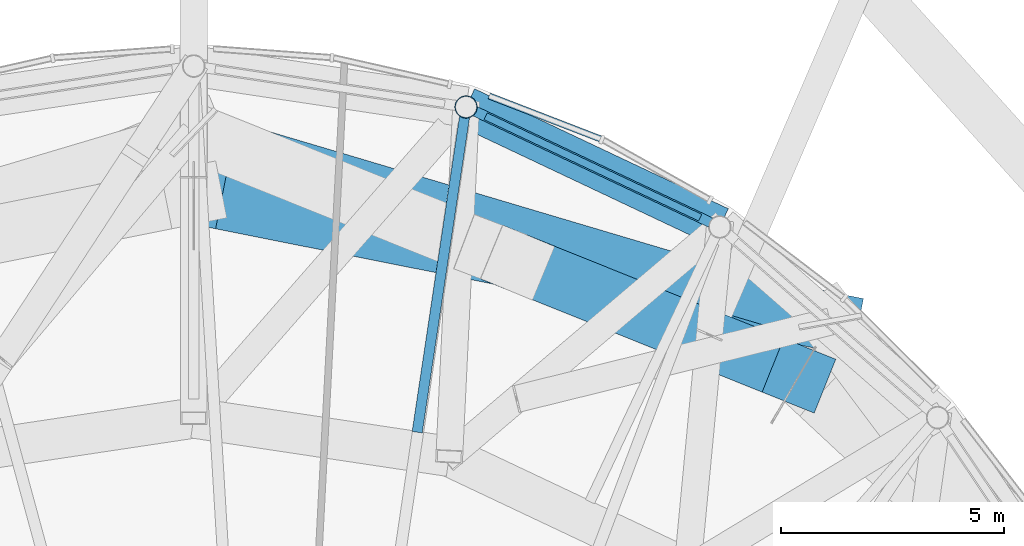
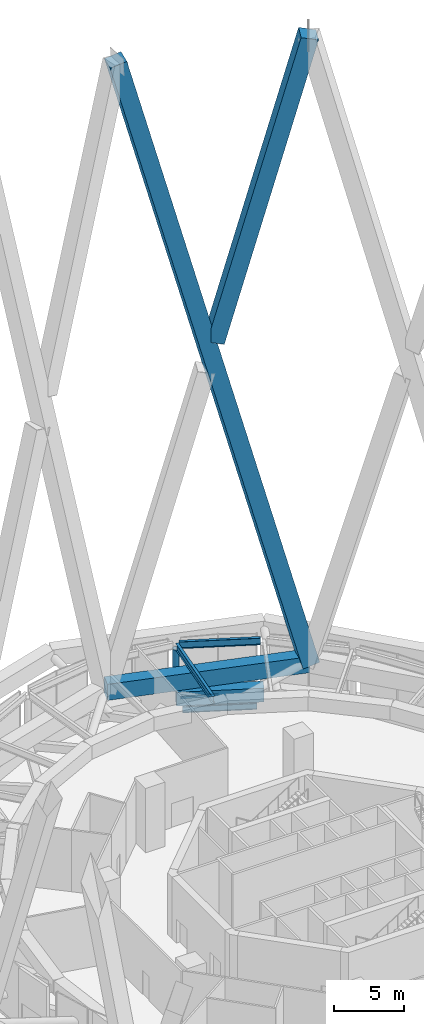
# One storey, part 31 of 48: 5 members, 4 beams, 1 element without a shape of its own.
"""IFC4 building model written with IfcOpenShell, lengths in metres."""

from ifc_helpers import new_model, si_unit, direction, frame, origin, origin_2d, place, context, subcontext, project, spatial, rectangle, hollow_rectangle, hollow_circle, i_section, extrude, material, layer, layer_set, material_profile, profile_set, type_object, element, aggregate, save


model = new_model("IFC4")

# Units and contexts
model_context = context("Model", 3, precision=1e-05, world=origin(), true_north=direction((0.0, 1.0)))
body_context = subcontext(model_context, "Body", "Model", "MODEL_VIEW")
ifc_project = project(units=[si_unit("LENGTHUNIT", "METRE"), si_unit("AREAUNIT", "SQUARE_METRE"), si_unit("VOLUMEUNIT", "CUBIC_METRE"), si_unit("PLANEANGLEUNIT", "RADIAN"), si_unit("MASSUNIT", "GRAM", prefix="KILO")], contexts=[model_context])

# Site, building, storey
site_placement = place(None, origin())
site = spatial("IfcSite", under=ifc_project, at=site_placement, CompositionType="ELEMENT")
building_placement = place(site_placement, origin())
building = spatial("IfcBuilding", under=site, at=building_placement, Name="Nagisa Residences", CompositionType="ELEMENT")
storey_placement = place(building_placement, frame((0.0, 0.0, 252.89990234375)))
storey = spatial("IfcBuildingStorey", under=building, at=storey_placement, Name="L64", CompositionType="ELEMENT", Elevation=252.89990234375)

# Beam
ifc_material_1 = material(Name="Steel ASTM A572 Gr 50", Category="steel")
ifc_material_profile_1 = material_profile(ifc_material_1, hollow_rectangle(XDim=0.89990234375, YDim=1.199951171875, WallThickness=0.0400390625, at=origin_2d()), Name="BX 900x1200x40")
ifc_profile_set_1 = profile_set([ifc_material_profile_1], Name="Steel ASTM A572 Gr 50")
beam_type_1 = type_object("IfcBeamType", Name="Belt chord 5 BX 900x1200x40", PredefinedType="BEAM", material=ifc_profile_set_1)
beam_1_placement = place(storey_placement, frame((9.985107421875, 26.405029296875, 0.60009765625), z_axis=(-0.904124087286, 0.427269978806, 0.0), x_axis=(-0.427269978806, -0.904124087286, 0.0)))
element("IfcBeam", 1, at=beam_1_placement, inside=storey, type_object=beam_type_1, Name="beam:L64:bt5b05", PredefinedType="BEAM", context=body_context, shape_type="SweptSolid", body=[
    extrude(hollow_rectangle(XDim=0.89990234375, YDim=1.199951171875, WallThickness=0.0400390625, at=origin_2d()), origin(), (0.0, 0.0, 1.0), 6.28759765625),
])

# Curtain wall, member
ifc_material_2 = material(Name="Aluminium curtain wall system", Category="aluminium")
ifc_layer = layer(ifc_material_2, 0.159912109375)
ifc_layer_set = layer_set([ifc_layer], Name="CW2 CURTAIN WALL")
curtain_wall_type = type_object("IfcCurtainWallType", Name="CW2 CURTAIN WALL", PredefinedType="NOTDEFINED", material=ifc_layer_set)
curtain_wall_placement = place(storey_placement, origin())
curtain_wall = element("IfcCurtainWall", 2, at=curtain_wall_placement, inside=storey, type_object=curtain_wall_type, Name="cw:CW2:L64:09", PredefinedType="NOTDEFINED")
ifc_material_3 = material(Name="Aluminium", Category="aluminium")
ifc_material_profile_2 = material_profile(ifc_material_3, rectangle(XDim=0.139892578125, YDim=0.179931640625, at=origin_2d()), Name="CW2 TRANSOM 140x180")
ifc_profile_set_2 = profile_set([ifc_material_profile_2], Name="Aluminium")
member_type_1 = type_object("IfcMemberType", Name="CW2 TRANSOM 140x180", PredefinedType="USERDEFINED", material=ifc_profile_set_2)
member_1_placement = place(storey_placement, frame((7.38232421875, 28.34814453125, 0.090087890625), z_axis=(-0.932819870149, 0.360343016938, 0.0), x_axis=(-0.360343016938, -0.932819870149, 0.0)))
member_1 = element("IfcMember", 3, at=member_1_placement, type_object=member_type_1, Name="CW2 transom", ObjectType="TRANSOM", PredefinedType="USERDEFINED", context=body_context, shape_type="SweptSolid", body=[
    extrude(rectangle(XDim=0.139892578125, YDim=0.179931640625, at=origin_2d()), origin(), (0.0, 0.0, 1.0), 2.74609375),
])
aggregate(curtain_wall, [member_1])

# Members
ifc_material_4 = material(Name="Concrete C80", Category="concrete")
ifc_material_profile_3 = material_profile(ifc_material_4, rectangle(XDim=1.300048828125, YDim=1.300048828125, at=origin_2d()), Name="C80 1300x1300")
ifc_profile_set_3 = profile_set([ifc_material_profile_3], Name="Concrete C80")
member_type_2 = type_object("IfcMemberType", Name="Cage diagonal 6 C80 1300x1300", PredefinedType="BRACE", material=ifc_profile_set_3)
member_2_placement = place(storey_placement, frame((12.4599609375, 24.283447265625, 3.7001953125), z_axis=(-0.248131512366, 0.049397750788, 0.967466079399), x_axis=(-0.195247439324, -0.980754014745, 0.0)))
element("IfcMember", 4, at=member_2_placement, inside=storey, type_object=member_type_2, Name="mem:L64:cg6d005", PredefinedType="BRACE", context=body_context, shape_type="SweptSolid", body=[
    extrude(rectangle(XDim=1.300048828125, YDim=1.300048828125, at=origin_2d()), origin(), (0.0, 0.0, 1.0), 57.469482421875),
])
member_3_placement = place(storey_placement, frame((5.458251953125, 25.604248046875, 33.4609375), z_axis=(0.235872018621, -0.094825815018, 0.96714655334), x_axis=(0.373007665503, 0.927828260766, 0.0)))
element("IfcMember", 5, at=member_3_placement, inside=storey, type_object=member_type_2, Name="mem:L64:cg6d006b", PredefinedType="BRACE", context=body_context, shape_type="SweptSolid", body=[
    extrude(rectangle(XDim=1.300048828125, YDim=1.300048828125, at=origin_2d()), origin(), (0.0, 0.0, 1.0), 26.716796875),
])
ifc_material_5 = material(Name="Concrete C80", Category="concrete")
ifc_material_profile_4 = material_profile(ifc_material_5, rectangle(XDim=1.0, YDim=1.39990234375, at=origin_2d()), Name="C80 1000x1400")
ifc_profile_set_4 = profile_set([ifc_material_profile_4], Name="Concrete C80")
member_type_3 = type_object("IfcMemberType", Name="Cage ring 6 C80 1000x1400", PredefinedType="CHORD", material=ifc_profile_set_4)
member_4_placement = place(storey_placement, frame((12.4599609375, 24.283447265625, 3.7001953125), z_axis=(-0.958549076589, 0.28492747809, 0.0), x_axis=(-0.28492747809, -0.958549076589, 0.0)))
element("IfcMember", 6, at=member_4_placement, inside=storey, type_object=member_type_3, Name="beam:L64:cg6r003", PredefinedType="CHORD", context=body_context, shape_type="SweptSolid", body=[
    extrude(rectangle(XDim=1.0, YDim=1.39990234375, at=origin_2d()), origin(), (0.0, 0.0, 1.0), 14.876708984375),
])

# Beam
ifc_material_6 = material(Name="Steel ASTM A572 Gr 50", Category="steel")
ifc_material_profile_5 = material_profile(ifc_material_6, i_section(OverallWidth=0.22802734375, OverallDepth=0.60302734375, WebThickness=0.010498046875, FlangeThickness=0.014892578125, at=origin_2d()), Name="W610x101")
ifc_profile_set_5 = profile_set([ifc_material_profile_5], Name="Steel ASTM A572 Gr 50")
beam_type_2 = type_object("IfcBeamType", Name="Garden edge beam W610x101", PredefinedType="BEAM", material=ifc_profile_set_5)
beam_2_placement = place(storey_placement, frame((9.7734375, 26.505126953125, 5.03857421875), z_axis=(-0.904132971036, 0.427251179854, 0.0), x_axis=(-0.427251179854, -0.904132971036, 0.0)))
element("IfcBeam", 7, at=beam_2_placement, inside=storey, type_object=beam_type_2, Name="beam:L64:bt5ge05", PredefinedType="BEAM", context=body_context, shape_type="SweptSolid", body=[
    extrude(i_section(OverallWidth=0.22802734375, OverallDepth=0.60302734375, WebThickness=0.010498046875, FlangeThickness=0.014892578125, at=origin_2d()), origin(), (0.0, 0.0, 1.0), 5.8193359375),
])

# Member
ifc_material_7 = material(Name="Steel ASTM A572 Gr 65", Category="steel")
ifc_material_profile_6 = material_profile(ifc_material_7, hollow_circle(Radius=0.25390625, WallThickness=0.02001953125, at=origin_2d()), Name="CHS 508x20")
ifc_profile_set_6 = profile_set([ifc_material_profile_6], Name="Steel ASTM A572 Gr 65")
member_type_4 = type_object("IfcMemberType", Name="Garden edge post CHS 508x20", PredefinedType="POST", material=ifc_profile_set_6)
member_5_placement = place(storey_placement, frame((4.30029296875, 29.091552734375, 1.2001953125), z_axis=(0.0, 0.0, 1.0), x_axis=(1.0, 0.0, 0.0)))
element("IfcMember", 8, at=member_5_placement, inside=storey, type_object=member_type_4, Name="mem:L64:gp506", PredefinedType="POST", context=body_context, shape_type="SweptSolid", body=[
    extrude(hollow_circle(Radius=0.25390625, WallThickness=0.02001953125, at=origin_2d()), origin(), (0.0, 0.0, 1.0), 3.536865234375),
])

# Beams
ifc_material_8 = material(Name="Steel ASTM A572 Gr 50", Category="steel")
ifc_material_profile_7 = material_profile(ifc_material_8, i_section(OverallWidth=0.22802734375, OverallDepth=0.60302734375, WebThickness=0.010498046875, FlangeThickness=0.014892578125, at=origin_2d()), Name="W610x101")
ifc_profile_set_7 = profile_set([ifc_material_profile_7], Name="Steel ASTM A572 Gr 50")
beam_type_3 = type_object("IfcBeamType", Name="Garden radial beam W610x101", PredefinedType="BEAM", material=ifc_profile_set_7)
beam_3_placement = place(storey_placement, frame((4.265625, 28.860107421875, 5.03857421875), z_axis=(-0.14855632211, -0.9889039484, 0.0), x_axis=(0.9889039484, -0.14855632211, 0.0)))
element("IfcBeam", 9, at=beam_3_placement, inside=storey, type_object=beam_type_3, Name="beam:L64:bt5gr06", PredefinedType="BEAM", context=body_context, shape_type="SweptSolid", body=[
    extrude(i_section(OverallWidth=0.22802734375, OverallDepth=0.60302734375, WebThickness=0.010498046875, FlangeThickness=0.014892578125, at=origin_2d()), origin(), (0.0, 0.0, 1.0), 7.134033203125),
])
ifc_material_9 = material(Name="Steel ASTM A572 Gr 50", Category="steel")
ifc_material_profile_8 = material_profile(ifc_material_9, i_section(OverallWidth=0.166015625, OverallDepth=0.534912109375, WebThickness=0.01025390625, FlangeThickness=0.0166015625, at=origin_2d()), Name="W530x85")
ifc_profile_set_8 = profile_set([ifc_material_profile_8], Name="Steel ASTM A572 Gr 50")
beam_type_4 = type_object("IfcBeamType", Name="Perimeter ring beam W530x85", PredefinedType="BEAM", material=ifc_profile_set_8)
beam_4_placement = place(storey_placement, frame((9.546630859375, 26.6123046875, -0.617431640625), z_axis=(-0.904133867308, 0.42724928319, 0.0), x_axis=(-0.42724928319, -0.904133867308, 0.0)))
element("IfcBeam", 10, at=beam_4_placement, inside=storey, type_object=beam_type_4, Name="beam:L64:pb05", PredefinedType="BEAM", context=body_context, shape_type="SweptSolid", body=[
    extrude(i_section(OverallWidth=0.166015625, OverallDepth=0.534912109375, WebThickness=0.01025390625, FlangeThickness=0.0166015625, at=origin_2d()), origin(), (0.0, 0.0, 1.0), 5.317138671875),
])

save(model, "model.ifc")
